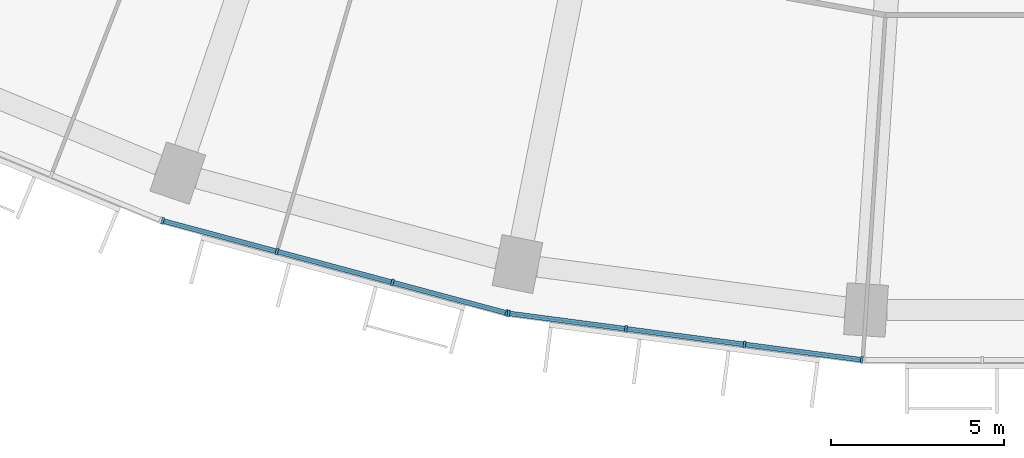
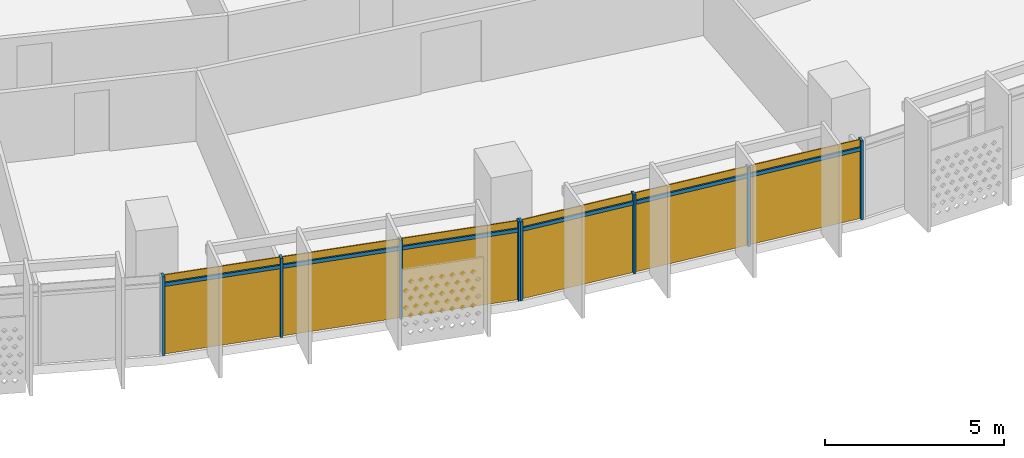
# One storey, part 18 of 28: 14 members, 2 curtain walls.
"""IFC4 building model written with IfcOpenShell, lengths in metres."""

from ifc_helpers import new_model, si_unit, direction, frame, origin, origin_2d, place, context, subcontext, project, spatial, rectangle, extrude, material, material_profile, profile_set, type_object, element, aggregate, save


model = new_model("IFC4")

# Units and contexts
model_context = context("Model", 3, precision=1e-05, world=origin(), true_north=direction((0.0, 1.0)))
body_context = subcontext(model_context, "Body", "Model", "MODEL_VIEW")
ifc_project = project(units=[si_unit("LENGTHUNIT", "METRE"), si_unit("AREAUNIT", "SQUARE_METRE"), si_unit("VOLUMEUNIT", "CUBIC_METRE"), si_unit("PLANEANGLEUNIT", "RADIAN"), si_unit("MASSUNIT", "GRAM", prefix="KILO")], contexts=[model_context])

# Member
ifc_material = material(Name="Aluminium 6063-T6 anodised", Category="aluminium")
ifc_material_profile_1 = material_profile(ifc_material, rectangle(XDim=0.199951171875, YDim=0.070068359375, at=origin_2d()))
ifc_profile_set_1 = profile_set([ifc_material_profile_1], Name="Aluminium 6063-T6 anodised")
member_type_1 = type_object("IfcMemberType", Name="Mullion 70 x 200 aluminium", PredefinedType="MULLION", material=ifc_profile_set_1)
site_placement = place(None, origin())
building_placement = place(site_placement, origin())
storey_placement = place(building_placement, frame((0.0, 0.0, 140.5)))
member_1_placement = place(storey_placement, frame((-25.430419921875, -75.00390625, 0.0), z_axis=(0.0, 0.0, 1.0), x_axis=(0.258819045103, 0.965925826289, 0.0)))
member_1 = element("IfcMember", 1, at=member_1_placement, type_object=member_type_1, Name="e-cw1-L32-out07/M00", PredefinedType="MULLION", context=body_context, shape_type="SweptSolid", body=[
    extrude(rectangle(XDim=0.199951171875, YDim=0.070068359375, at=origin_2d()), origin(), (0.0, 0.0, 1.0), 2.699951171875),
])

member_2_placement = place(storey_placement, frame((-22.12451171875, -75.889892578125, 0.0), z_axis=(0.0, 0.0, 1.0), x_axis=(0.258819045103, 0.965925826289, 0.0)))
member_2 = element("IfcMember", 2, at=member_2_placement, type_object=member_type_1, Name="e-cw1-L32-out07/M01", PredefinedType="MULLION", context=body_context, shape_type="SweptSolid", body=[
    extrude(rectangle(XDim=0.199951171875, YDim=0.070068359375, at=origin_2d()), origin(), (0.0, 0.0, 1.0), 2.699951171875),
])

member_3_placement = place(storey_placement, frame((-18.78466796875, -76.78466796875, 0.0), z_axis=(0.0, 0.0, 1.0), x_axis=(0.258819045103, 0.965925826289, 0.0)))
member_3 = element("IfcMember", 3, at=member_3_placement, type_object=member_type_1, Name="e-cw1-L32-out07/M02", PredefinedType="MULLION", context=body_context, shape_type="SweptSolid", body=[
    extrude(rectangle(XDim=0.199951171875, YDim=0.070068359375, at=origin_2d()), origin(), (0.0, 0.0, 1.0), 2.699951171875),
])

member_4_placement = place(storey_placement, frame((-15.478515625, -77.670654296875, 0.0), z_axis=(0.0, 0.0, 1.0), x_axis=(0.258819045103, 0.965925826289, 0.0)))
member_4 = element("IfcMember", 4, at=member_4_placement, type_object=member_type_1, Name="e-cw1-L32-out07/M03", PredefinedType="MULLION", context=body_context, shape_type="SweptSolid", body=[
    extrude(rectangle(XDim=0.199951171875, YDim=0.070068359375, at=origin_2d()), origin(), (0.0, 0.0, 1.0), 2.699951171875),
])

member_5_placement = place(storey_placement, frame((-15.4228515625, -77.681640625, 0.0), z_axis=(0.0, 0.0, 1.0), x_axis=(0.13052619222, 0.991444861374, 0.0)))
member_5 = element("IfcMember", 5, at=member_5_placement, type_object=member_type_1, Name="e-cw1-L32-out08/M00", PredefinedType="MULLION", context=body_context, shape_type="SweptSolid", body=[
    extrude(rectangle(XDim=0.199951171875, YDim=0.070068359375, at=origin_2d()), origin(), (0.0, 0.0, 1.0), 2.699951171875),
])

member_6_placement = place(storey_placement, frame((-12.029541015625, -78.12841796875, 0.0), z_axis=(0.0, 0.0, 1.0), x_axis=(0.13052619222, 0.991444861374, 0.0)))
member_6 = element("IfcMember", 6, at=member_6_placement, type_object=member_type_1, Name="e-cw1-L32-out08/M01", PredefinedType="MULLION", context=body_context, shape_type="SweptSolid", body=[
    extrude(rectangle(XDim=0.199951171875, YDim=0.070068359375, at=origin_2d()), origin(), (0.0, 0.0, 1.0), 2.699951171875),
])

member_7_placement = place(storey_placement, frame((-8.6015625, -78.579833984375, 0.0), z_axis=(0.0, 0.0, 1.0), x_axis=(0.13052619222, 0.991444861374, 0.0)))
member_7 = element("IfcMember", 7, at=member_7_placement, type_object=member_type_1, Name="e-cw1-L32-out08/M02", PredefinedType="MULLION", context=body_context, shape_type="SweptSolid", body=[
    extrude(rectangle(XDim=0.199951171875, YDim=0.070068359375, at=origin_2d()), origin(), (0.0, 0.0, 1.0), 2.699951171875),
])

member_8_placement = place(storey_placement, frame((-5.2080078125, -79.026611328125, 0.0), z_axis=(0.0, 0.0, 1.0), x_axis=(0.13052619222, 0.991444861374, 0.0)))
member_8 = element("IfcMember", 8, at=member_8_placement, type_object=member_type_1, Name="e-cw1-L32-out08/M03", PredefinedType="MULLION", context=body_context, shape_type="SweptSolid", body=[
    extrude(rectangle(XDim=0.199951171875, YDim=0.070068359375, at=origin_2d()), origin(), (0.0, 0.0, 1.0), 2.699951171875),
])

ifc_material_profile_2 = material_profile(ifc_material, rectangle(XDim=0.139892578125, YDim=0.1201171875, at=origin_2d()))
ifc_profile_set_2 = profile_set([ifc_material_profile_2], Name="Aluminium 6063-T6 anodised")
member_type_2 = type_object("IfcMemberType", Name="Transom 120 x 140 aluminium", PredefinedType="USERDEFINED", material=ifc_profile_set_2)
member_9_placement = place(storey_placement, frame((-25.396728515625, -75.01318359375, 2.39990234375), z_axis=(0.965932125453, -0.258795535157, 0.0), x_axis=(0.258795535157, 0.965932125453, 0.0)))
member_9 = element("IfcMember", 9, at=member_9_placement, type_object=member_type_2, Name="e-cw1-L32-out07/T00", ObjectType="TRANSOM", PredefinedType="USERDEFINED", context=body_context, shape_type="SweptSolid", body=[
    extrude(rectangle(XDim=0.139892578125, YDim=0.1201171875, at=origin_2d()), origin(), (0.0, 0.0, 1.0), 3.352783203125),
])

member_10_placement = place(storey_placement, frame((-22.090576171875, -75.89892578125, 2.39990234375), z_axis=(0.965931646033, -0.258797324547, 0.0), x_axis=(0.258797324547, 0.965931646033, 0.0)))
member_10 = element("IfcMember", 10, at=member_10_placement, type_object=member_type_2, Name="e-cw1-L32-out07/T01", ObjectType="TRANSOM", PredefinedType="USERDEFINED", context=body_context, shape_type="SweptSolid", body=[
    extrude(rectangle(XDim=0.139892578125, YDim=0.1201171875, at=origin_2d()), origin(), (0.0, 0.0, 1.0), 3.3876953125),
])

member_11_placement = place(storey_placement, frame((-18.750732421875, -76.7939453125, 2.39990234375), z_axis=(0.965927247937, -0.258813739382, 0.0), x_axis=(0.258813739382, 0.965927247937, 0.0)))
member_11 = element("IfcMember", 11, at=member_11_placement, type_object=member_type_2, Name="e-cw1-L32-out07/T02", ObjectType="TRANSOM", PredefinedType="USERDEFINED", context=body_context, shape_type="SweptSolid", body=[
    extrude(rectangle(XDim=0.139892578125, YDim=0.1201171875, at=origin_2d()), origin(), (0.0, 0.0, 1.0), 3.3525390625),
])

member_12_placement = place(storey_placement, frame((-15.38818359375, -77.686279296875, 2.39990234375), z_axis=(0.991449089759, -0.130494070426, 0.0), x_axis=(0.130494070426, 0.991449089759, 0.0)))
member_12 = element("IfcMember", 12, at=member_12_placement, type_object=member_type_2, Name="e-cw1-L32-out08/T00", ObjectType="TRANSOM", PredefinedType="USERDEFINED", context=body_context, shape_type="SweptSolid", body=[
    extrude(rectangle(XDim=0.139892578125, YDim=0.1201171875, at=origin_2d()), origin(), (0.0, 0.0, 1.0), 3.3525390625),
])

member_13_placement = place(storey_placement, frame((-11.994873046875, -78.133056640625, 2.39990234375), z_axis=(0.991446198807, -0.130516033004, 0.0), x_axis=(0.130516033004, 0.991446198807, 0.0)))
member_13 = element("IfcMember", 13, at=member_13_placement, type_object=member_type_2, Name="e-cw1-L32-out08/T01", ObjectType="TRANSOM", PredefinedType="USERDEFINED", context=body_context, shape_type="SweptSolid", body=[
    extrude(rectangle(XDim=0.139892578125, YDim=0.1201171875, at=origin_2d()), origin(), (0.0, 0.0, 1.0), 3.3876953125),
])

member_14_placement = place(storey_placement, frame((-8.56689453125, -78.584228515625, 2.39990234375), z_axis=(0.991439665896, -0.130565649721, 0.0), x_axis=(0.130565649721, 0.991439665896, 0.0)))
member_14 = element("IfcMember", 14, at=member_14_placement, type_object=member_type_2, Name="e-cw1-L32-out08/T02", ObjectType="TRANSOM", PredefinedType="USERDEFINED", context=body_context, shape_type="SweptSolid", body=[
    extrude(rectangle(XDim=0.139892578125, YDim=0.1201171875, at=origin_2d()), origin(), (0.0, 0.0, 1.0), 3.352783203125),
])

# Site, building, storey
site = spatial("IfcSite", under=ifc_project, at=site_placement, CompositionType="ELEMENT")
building = spatial("IfcBuilding", under=site, at=building_placement, Name="Qamariyya Broadcast Tower", CompositionType="ELEMENT")
storey = spatial("IfcBuildingStorey", under=building, at=storey_placement, Name="L32", CompositionType="ELEMENT", Elevation=140.5)

# Curtain wall
curtain_wall_type = type_object("IfcCurtainWallType", Name="Unitised curtain wall, anodised aluminium", PredefinedType="NOTDEFINED", material=ifc_material)
curtain_wall_1_placement = place(storey_placement, origin())
curtain_wall_1 = element("IfcCurtainWall", 15, at=curtain_wall_1_placement, inside=storey, type_object=curtain_wall_type, Name="e-cw1-L32-out07", PredefinedType="NOTDEFINED", context=body_context, shape_type="SweptSolid", body=[
    extrude(rectangle(XDim=3.352783203125, YDim=0.031982421875, at=origin_2d()), frame((-23.777587890625, -75.44677734375, 0.0), x_axis=(0.965923677743, -0.258827063454, 0.0)), (0.0, 0.0, 1.0), 2.340087890625),
    extrude(rectangle(XDim=3.352783203125, YDim=0.031982421875, at=origin_2d()), frame((-23.777587890625, -75.44677734375, 2.4599609375), x_axis=(0.965923677743, -0.258827063454, 0.0)), (0.0, 0.0, 1.0), 0.239990234375),
    extrude(rectangle(XDim=3.3876953125, YDim=0.031982421875, at=origin_2d()), frame((-20.45458984375, -76.33740234375, 0.0), x_axis=(0.965923677743, -0.258827063454, 0.0)), (0.0, 0.0, 1.0), 2.340087890625),
    extrude(rectangle(XDim=3.3876953125, YDim=0.031982421875, at=origin_2d()), frame((-20.45458984375, -76.33740234375, 2.4599609375), x_axis=(0.965923677743, -0.258827063454, 0.0)), (0.0, 0.0, 1.0), 0.239990234375),
    extrude(rectangle(XDim=3.352783203125, YDim=0.031982421875, at=origin_2d()), frame((-17.131591796875, -77.227783203125, 0.0), x_axis=(0.965923677743, -0.258827063454, 0.0)), (0.0, 0.0, 1.0), 2.340087890625),
    extrude(rectangle(XDim=3.352783203125, YDim=0.031982421875, at=origin_2d()), frame((-17.131591796875, -77.227783203125, 2.4599609375), x_axis=(0.965923677743, -0.258827063454, 0.0)), (0.0, 0.0, 1.0), 0.239990234375),
])

aggregate(curtain_wall_1, [member_1, member_2, member_3, member_4, member_9, member_10, member_11])

curtain_wall_2_placement = place(storey_placement, origin())
curtain_wall_2 = element("IfcCurtainWall", 16, at=curtain_wall_2_placement, inside=storey, type_object=curtain_wall_type, Name="e-cw1-L32-out08", PredefinedType="NOTDEFINED", context=body_context, shape_type="SweptSolid", body=[
    extrude(rectangle(XDim=3.3525390625, YDim=0.031982421875, at=origin_2d()), frame((-13.72607421875, -77.9052734375, 0.0), x_axis=(0.991447084105, -0.13050930779, 0.0)), (0.0, 0.0, 1.0), 2.340087890625),
    extrude(rectangle(XDim=3.3525390625, YDim=0.031982421875, at=origin_2d()), frame((-13.72607421875, -77.9052734375, 2.4599609375), x_axis=(0.991447084105, -0.13050930779, 0.0)), (0.0, 0.0, 1.0), 0.239990234375),
    extrude(rectangle(XDim=3.3876953125, YDim=0.031982421875, at=origin_2d()), frame((-10.3154296875, -78.35400390625, 0.0), x_axis=(0.991447084105, -0.13050930779, 0.0)), (0.0, 0.0, 1.0), 2.340087890625),
    extrude(rectangle(XDim=3.3876953125, YDim=0.031982421875, at=origin_2d()), frame((-10.3154296875, -78.35400390625, 2.4599609375), x_axis=(0.991447084105, -0.13050930779, 0.0)), (0.0, 0.0, 1.0), 0.239990234375),
    extrude(rectangle(XDim=3.3525390625, YDim=0.031982421875, at=origin_2d()), frame((-6.90478515625, -78.802978515625, 0.0), x_axis=(0.991447084105, -0.13050930779, 0.0)), (0.0, 0.0, 1.0), 2.340087890625),
    extrude(rectangle(XDim=3.3525390625, YDim=0.031982421875, at=origin_2d()), frame((-6.90478515625, -78.802978515625, 2.4599609375), x_axis=(0.991447084105, -0.13050930779, 0.0)), (0.0, 0.0, 1.0), 0.239990234375),
])

aggregate(curtain_wall_2, [member_5, member_6, member_7, member_8, member_12, member_13, member_14])

save(model, "model.ifc")
